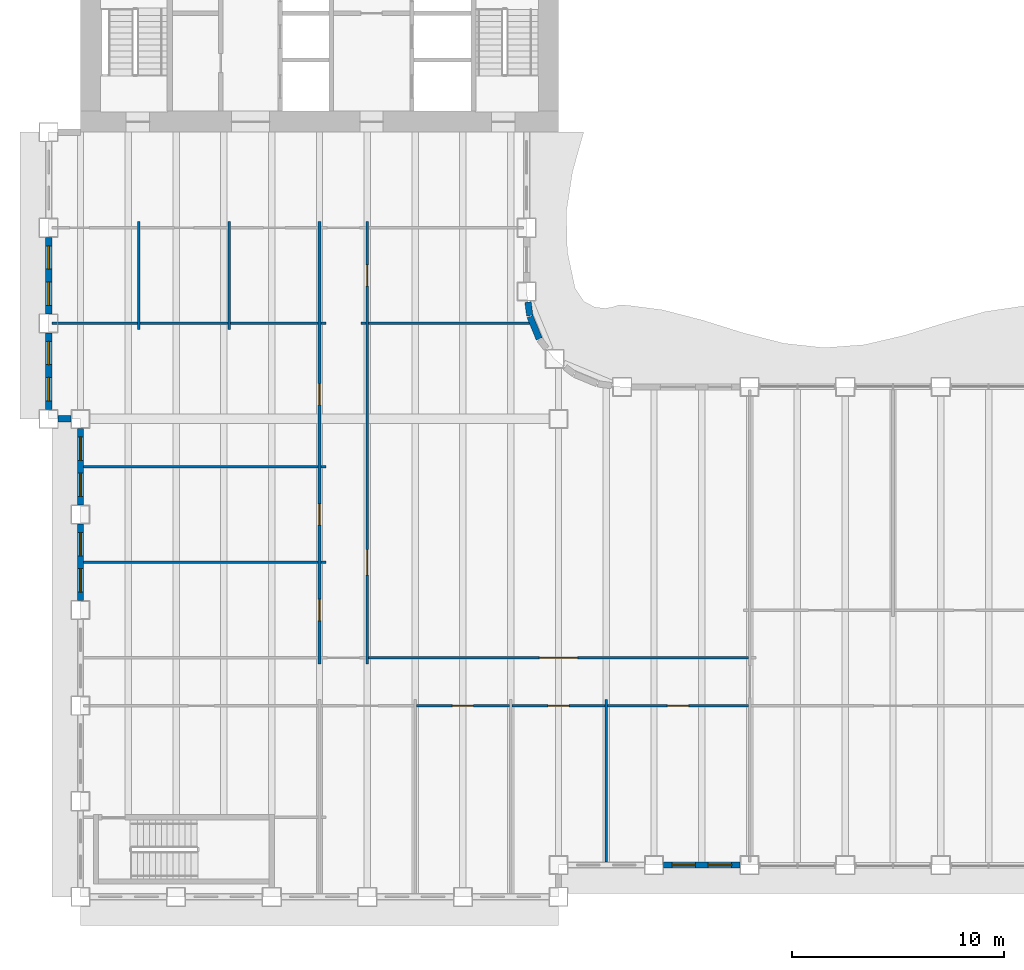
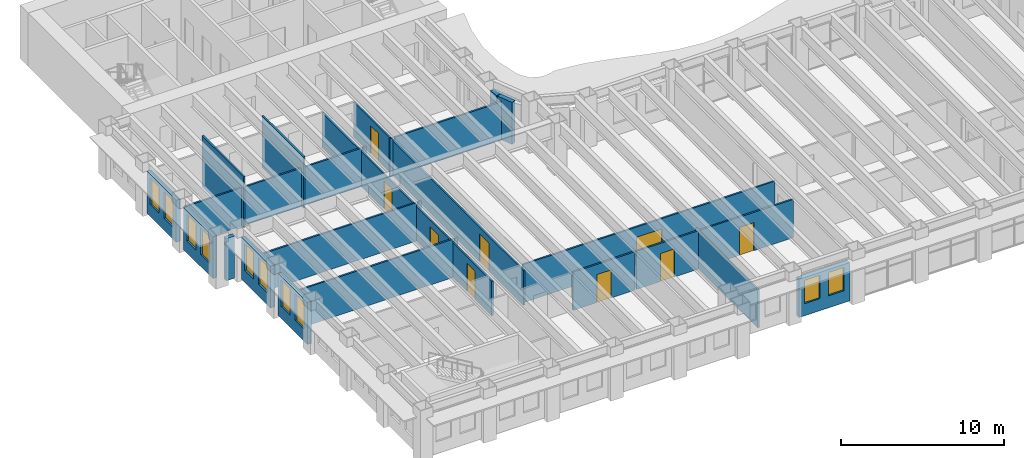
# One storey, part 6 of 17: 27 walls, 10 windows, 9 doors, 19 openings.
"""IFC4 building model written with IfcOpenShell, lengths in metres."""

import ifcopenshell
import ifcopenshell.guid

model = None  # the IFC model being written
_history = None  # IfcOwnerHistory: only IFC2X3 demands one
_inside = {}  # id of a spatial element -> (the spatial element, [elements in it])
_under = {}  # id of a project, library or spatial element -> (it, [spatial elements below it])
_declared = {}  # id of a project -> (the project, [libraries it declares])
_typed = {}  # id of a type object -> (the type object, [elements of that type])
_made_of = {}  # id of a material, layer set ... -> (it, [elements and type objects made of it])


def new_model(schema):
    """Start an empty IFC model of exactly this schema.

    Asked for "IFC4X3", IfcOpenShell would pick the latest addendum, in which some entities
    have other attributes; the version numbers below select the first issue.
    IFC2X3 requires an IfcOwnerHistory on every rooted entity: one is made here for all.
    """
    global model, _history
    if schema == "IFC4X3":
        model = ifcopenshell.file(schema_version=(4, 3, 0, 0))
    else:
        model = ifcopenshell.file(schema=schema)
    _inside.clear()
    _under.clear()
    _declared.clear()
    _typed.clear()
    _made_of.clear()
    _history = None
    if model.schema == "IFC2X3":
        org = make("IfcOrganization", Name="unknown")
        user = make(
            "IfcPersonAndOrganization",
            ThePerson=make("IfcPerson", FamilyName="unknown"),
            TheOrganization=org,
        )
        app = make(
            "IfcApplication",
            ApplicationDeveloper=org,
            Version="unknown",
            ApplicationFullName="unknown",
            ApplicationIdentifier="unknown",
        )
        _history = make(
            "IfcOwnerHistory",
            OwningUser=user,
            OwningApplication=app,
            ChangeAction="ADDED",
            CreationDate=0,
        )
    return model


def make(cls, **values):
    """One entity of the class cls with the attributes given. An attribute that is None is left unset."""
    return model.create_entity(
        cls, **{name: value for name, value in values.items() if value is not None}
    )


def rooted(cls, **values):
    """An entity with a GlobalId (a new one), such as an element, a storey or a relation."""
    return make(cls, GlobalId=ifcopenshell.guid.new(), OwnerHistory=_history, **values)


def si_unit(unit_type, name, prefix=None):
    """IfcSIUnit, for example si_unit("LENGTHUNIT", "METRE", prefix="MILLI")."""
    return make("IfcSIUnit", UnitType=unit_type, Prefix=prefix, Name=name)


def assignment(units):
    """IfcUnitAssignment: the units of a project."""
    return None if units is None else make("IfcUnitAssignment", Units=units)


def point(xyz):
    """IfcCartesianPoint."""
    return None if xyz is None else make("IfcCartesianPoint", Coordinates=xyz)


def direction(xyz):
    """IfcDirection."""
    return None if xyz is None else make("IfcDirection", DirectionRatios=xyz)


def frame(location, z_axis=None, x_axis=None):
    """IfcAxis2Placement3D, a coordinate frame: its origin and axes. An axis left out is left unset."""
    return make(
        "IfcAxis2Placement3D",
        Location=point(location),
        Axis=direction(z_axis),
        RefDirection=direction(x_axis),
    )


def frame_2d(location, x_axis=None):
    """IfcAxis2Placement2D, a coordinate frame in the plane: its origin and x axis."""
    return make(
        "IfcAxis2Placement2D", Location=point(location), RefDirection=direction(x_axis)
    )


def origin():
    """The frame at (0, 0, 0) with its axes left unset."""
    return frame((0.0, 0.0, 0.0))


def place(relative_to, where):
    """IfcLocalPlacement: puts the frame where relative to a parent placement (None: the world)."""
    return make(
        "IfcLocalPlacement", PlacementRelTo=relative_to, RelativePlacement=where
    )


def context(
    kind, dimensions, precision=None, world=None, true_north=None, identifier=None
):
    """IfcGeometricRepresentationContext, for example the 3D "Model" context."""
    return make(
        "IfcGeometricRepresentationContext",
        ContextIdentifier=identifier,
        ContextType=kind,
        CoordinateSpaceDimension=dimensions,
        Precision=precision,
        WorldCoordinateSystem=world,
        TrueNorth=true_north,
    )


def subcontext(parent, identifier, kind, view, scale=None):
    """IfcGeometricRepresentationSubContext, for example "Body" below "Model"."""
    return make(
        "IfcGeometricRepresentationSubContext",
        ContextIdentifier=identifier,
        ContextType=kind,
        ParentContext=parent,
        TargetScale=scale,
        TargetView=view,
    )


def project(units=None, contexts=None):
    """IfcProject with its units and contexts."""
    return rooted(
        "IfcProject",
        Name="project",
        RepresentationContexts=contexts,
        UnitsInContext=assignment(units),
    )


def spatial(cls, under=None, at=None, **own):
    """A site, building, storey or space (cls), placed at a placement, below another one or the project."""
    s = rooted(cls, ObjectPlacement=at, **own)
    if under is not None:
        _under.setdefault(under.id(), (under, []))[1].append(s)
    return s


def profile(cls, at=None, kind="AREA", **sizes):
    """A parametric profile (cls). Its sizes go by their IFC names, for example OverallWidth=200.0."""
    return make(cls, ProfileType=kind, Position=at, **sizes)


def rectangle(**sizes):
    """IfcRectangleProfileDef."""
    return profile("IfcRectangleProfileDef", **sizes)


def extrude(swept, where, along, depth):
    """IfcExtrudedAreaSolid: the profile swept, set in the frame where, extruded along a direction by depth."""
    return make(
        "IfcExtrudedAreaSolid",
        SweptArea=swept,
        Position=where,
        ExtrudedDirection=direction(along),
        Depth=depth,
    )


def shape(context_of_items, identifier, shape_type, items):
    """IfcShapeRepresentation: the items that make up one representation, for example the "Body"."""
    return make(
        "IfcShapeRepresentation",
        ContextOfItems=context_of_items,
        RepresentationIdentifier=identifier,
        RepresentationType=shape_type,
        Items=items,
    )


def material(Name=None, Category=None):
    """IfcMaterial."""
    return make("IfcMaterial", Name=Name, Category=Category)


def layer(
    of_material, thickness, ventilated=None, Name=None, Category=None, Priority=None
):
    """IfcMaterialLayer: one layer of a wall or slab, of a material (None: an air gap)."""
    return make(
        "IfcMaterialLayer",
        Material=of_material,
        LayerThickness=thickness,
        IsVentilated=ventilated,
        Name=Name,
        Category=Category,
        Priority=Priority,
    )


def layer_set(layers, Name=None):
    """IfcMaterialLayerSet."""
    return make("IfcMaterialLayerSet", MaterialLayers=layers, LayerSetName=Name)


def made_of(thing, what):
    """Note that an element or type object is made of a material, layer set ...; save() writes the relation."""
    if what is not None:
        _made_of.setdefault(what.id(), (what, []))[1].append(thing)
    return thing


def type_object(cls, material=None, **own):
    """A type object (cls), such as IfcWallType, which elements share."""
    return made_of(rooted(cls, **own), material)


def element(
    cls,
    number,
    at=None,
    inside=None,
    cuts=None,
    type_object=None,
    material=None,
    context=None,
    identifier="Body",
    shape_type=None,
    held_by="IfcProductDefinitionShape",
    body=None,
    shapes=None,
    **own,
):
    """One element of the class cls, such as IfcWall. Its Tag is "e" and its number.

    at: its placement. inside: the storey or other place that contains it. cuts: it is an
    opening in that element (IfcRelVoidsElement). A single representation is given by context,
    identifier, shape_type and body (its items); several are given by shapes. held_by: the class
    of the entity that holds the representations. save() writes the other relations.
    """
    e = rooted(cls, Tag="e%d" % number, ObjectPlacement=at, **own)
    if body is not None:
        shapes = [shape(context, identifier, shape_type, body)]
    if shapes is not None:
        e.Representation = make(held_by, Representations=shapes)
    if inside is not None:
        _inside.setdefault(inside.id(), (inside, []))[1].append(e)
    if cuts is not None:
        rooted(
            "IfcRelVoidsElement", RelatingBuildingElement=cuts, RelatedOpeningElement=e
        )
    if type_object is not None:
        _typed.setdefault(type_object.id(), (type_object, []))[1].append(e)
    return made_of(e, material)


def fill(opening, filler):
    """IfcRelFillsElement: the door or window that sits in an opening."""
    return rooted(
        "IfcRelFillsElement",
        RelatingOpeningElement=opening,
        RelatedBuildingElement=filler,
    )


def aggregate(whole, parts):
    """IfcRelAggregates: a whole, such as a stair, and the parts it consists of."""
    return rooted("IfcRelAggregates", RelatingObject=whole, RelatedObjects=parts)


def save(model, path):
    """Write the relations noted so far, then the file.

    IfcRelAggregates (storeys below a building ...), IfcRelContainedInSpatialStructure (elements
    in a storey), IfcRelDefinesByType, IfcRelAssociatesMaterial and IfcRelDeclares: one each for
    every whole, place, type object, material and project.
    """
    for whole, parts in _under.values():
        aggregate(whole, parts)
    for where, things in _inside.values():
        rooted(
            "IfcRelContainedInSpatialStructure",
            RelatedElements=things,
            RelatingStructure=where,
        )
    for kind, things in _typed.values():
        rooted("IfcRelDefinesByType", RelatedObjects=things, RelatingType=kind)
    for what, things in _made_of.values():
        rooted("IfcRelAssociatesMaterial", RelatedObjects=things, RelatingMaterial=what)
    for by, libraries in _declared.values():
        rooted("IfcRelDeclares", RelatingContext=by, RelatedDefinitions=libraries)
    model.write(path)


model = new_model("IFC4")

# Units and contexts
model_context = context("Model", 3, precision=1e-05, world=origin(), true_north=direction((0.0, 1.0)))
body_context = subcontext(model_context, "Body", "Model", "MODEL_VIEW")
ifc_project = project(units=[si_unit("LENGTHUNIT", "METRE"), si_unit("AREAUNIT", "SQUARE_METRE"), si_unit("VOLUMEUNIT", "CUBIC_METRE"), si_unit("PLANEANGLEUNIT", "RADIAN"), si_unit("MASSUNIT", "GRAM", prefix="KILO")], contexts=[model_context])

# Site, building, storey
site_placement = place(None, origin())
site = spatial("IfcSite", under=ifc_project, at=site_placement, CompositionType="ELEMENT")
building_placement = place(site_placement, origin())
building = spatial("IfcBuilding", under=site, at=building_placement, Name="Sennacour Bend Tower", CompositionType="ELEMENT")
storey_placement = place(building_placement, frame((0.0, 0.0, 151.0)))
storey = spatial("IfcBuildingStorey", under=building, at=storey_placement, Name="L34", CompositionType="ELEMENT", Elevation=151.0)

# Walls
ifc_material_1 = material(Name="Plasterboard partition on steel studs", Category="steel")
ifc_layer_1 = layer(ifc_material_1, 0.1201171875, Name="Plasterboard partition on steel studs", Category="steel")
ifc_layer_set_1 = layer_set([ifc_layer_1], Name="Plasterboard partition on steel studs")
wall_type_1 = type_object("IfcWallType", Name="Partition 120", PredefinedType="PARTITIONING", material=ifc_layer_set_1)
for number, where, z_axis, x_axis, name in (
    (1, (2.75, 26.699951171875, 0.0), (0.0, 0.0, 1.0), (0.0, 1.0, 0.0), "P-L34-W005a"),
    (2, (7.0, 26.699951171875, 0.0), (0.0, 0.0, 1.0), (0.0, 1.0, 0.0), "P-L34-W009a"),
):
    element("IfcWall", number, at=place(storey_placement, frame(where, z_axis=z_axis, x_axis=x_axis)), inside=storey, type_object=wall_type_1, Name=name, PredefinedType="PARTITIONING", context=body_context, shape_type="SweptSolid", body=[
        extrude(rectangle(XDim=5.10009765625, YDim=0.1201171875, at=frame_2d((2.550048828125, 0.0))), origin(), (0.0, 0.0, 1.0), 3.85009765625),
    ])

# Wall, openings, doors
wall_1_placement = place(storey_placement, frame((11.25, 10.949951171875, 0.0), z_axis=(0.0, 0.0, 1.0), x_axis=(0.0, 1.0, 0.0)))
wall_1 = element("IfcWall", 3, at=wall_1_placement, inside=storey, type_object=wall_type_1, Name="P-L34-W014a", PredefinedType="PARTITIONING", context=body_context, shape_type="SweptSolid", body=[
    extrude(rectangle(XDim=20.85009765625, YDim=0.1201171875, at=frame_2d((10.425048828125, 0.0))), origin(), (0.0, 0.0, 1.0), 2.60009765625),
])
opening_1_placement = place(wall_1_placement, frame((2.050048828125, 0.0, 0.0)))
opening_1 = element("IfcOpeningElement", 4, at=opening_1_placement, cuts=wall_1, Name="Opening OD2", PredefinedType="OPENING", context=body_context, shape_type="SweptSolid", body=[
    extrude(rectangle(XDim=1.0, YDim=2.10009765625, at=frame_2d((0.5, 1.050048828125))), frame((0.0, 0.070068359375, 0.0), z_axis=(0.0, -1.0, 0.0), x_axis=(1.0, 0.0, 0.0)), (0.0, 0.0, 1.0), 0.14013671875),
])
opening_2_placement = place(wall_1_placement, frame((6.550048828125, 0.0, 0.0)))
opening_2 = element("IfcOpeningElement", 5, at=opening_2_placement, cuts=wall_1, Name="Opening OD2", PredefinedType="OPENING", context=body_context, shape_type="SweptSolid", body=[
    extrude(rectangle(XDim=1.0, YDim=2.10009765625, at=frame_2d((0.5, 1.050048828125))), frame((0.0, 0.070068359375, 0.0), z_axis=(0.0, -1.0, 0.0), x_axis=(1.0, 0.0, 0.0)), (0.0, 0.0, 1.0), 0.14013671875),
])
opening_3_placement = place(wall_1_placement, frame((12.205078125, 0.0, 0.0)))
opening_3 = element("IfcOpeningElement", 6, at=opening_3_placement, cuts=wall_1, Name="Opening OD2", PredefinedType="OPENING", context=body_context, shape_type="SweptSolid", body=[
    extrude(rectangle(XDim=1.0, YDim=2.10009765625, at=frame_2d((0.5, 1.050048828125))), frame((0.0, 0.070068359375, 0.0), z_axis=(0.0, -1.0, 0.0), x_axis=(1.0, 0.0, 0.0)), (0.0, 0.0, 1.0), 0.14013671875),
])
ifc_material_2 = material(Name="Timber", Category="wood")
door_type_1 = type_object("IfcDoorType", Name="DR-OFFICE-1000", OperationType="NOTDEFINED", PredefinedType="DOOR", material=ifc_material_2)
door_1_placement = place(opening_1_placement, origin())
door_1 = element("IfcDoor", 7, at=door_1_placement, inside=storey, type_object=door_type_1, Name="Door", OperationType="SINGLE_SWING_LEFT", OverallHeight=2.10009765625, OverallWidth=1.0, PredefinedType="DOOR", context=body_context, shape_type="SweptSolid", body=[
    extrude(rectangle(XDim=1.0, YDim=2.10009765625, at=frame_2d((0.5, 1.050048828125))), frame((0.0, 0.02490234375, 0.0), z_axis=(0.0, -1.0, 0.0), x_axis=(1.0, 0.0, 0.0)), (0.0, 0.0, 1.0), 0.050048828125),
])
fill(opening_1, door_1)
door_2_placement = place(opening_2_placement, origin())
door_2 = element("IfcDoor", 8, at=door_2_placement, inside=storey, type_object=door_type_1, Name="Door", OperationType="SINGLE_SWING_LEFT", OverallHeight=2.10009765625, OverallWidth=1.0, PredefinedType="DOOR", context=body_context, shape_type="SweptSolid", body=[
    extrude(rectangle(XDim=1.0, YDim=2.10009765625, at=frame_2d((0.5, 1.050048828125))), frame((0.0, 0.02490234375, 0.0), z_axis=(0.0, -1.0, 0.0), x_axis=(1.0, 0.0, 0.0)), (0.0, 0.0, 1.0), 0.050048828125),
])
fill(opening_2, door_2)
door_3_placement = place(opening_3_placement, origin())
door_3 = element("IfcDoor", 9, at=door_3_placement, inside=storey, type_object=door_type_1, Name="Door", OperationType="SINGLE_SWING_RIGHT", OverallHeight=2.10009765625, OverallWidth=1.0, PredefinedType="DOOR", context=body_context, shape_type="SweptSolid", body=[
    extrude(rectangle(XDim=1.0, YDim=2.10009765625, at=frame_2d((0.5, 1.050048828125))), frame((0.0, 0.02490234375, 0.0), z_axis=(0.0, -1.0, 0.0), x_axis=(1.0, 0.0, 0.0)), (0.0, 0.0, 1.0), 0.050048828125),
])
fill(opening_3, door_3)

wall_2_placement = place(storey_placement, frame((13.5, 10.949951171875, 0.0), z_axis=(0.0, 0.0, 1.0), x_axis=(0.0, 1.0, 0.0)))
wall_2 = element("IfcWall", 10, at=wall_2_placement, inside=storey, type_object=wall_type_1, Name="P-L34-W017a", PredefinedType="PARTITIONING", context=body_context, shape_type="SweptSolid", body=[
    extrude(rectangle(XDim=20.85009765625, YDim=0.1201171875, at=frame_2d((10.425048828125, 0.0))), origin(), (0.0, 0.0, 1.0), 2.60009765625),
])
opening_4_placement = place(wall_2_placement, frame((17.800048828125, 0.0, 0.0)))
opening_4 = element("IfcOpeningElement", 11, at=opening_4_placement, cuts=wall_2, Name="Opening MD2", PredefinedType="OPENING", context=body_context, shape_type="SweptSolid", body=[
    extrude(rectangle(XDim=1.0, YDim=2.10009765625, at=frame_2d((0.5, 1.050048828125))), frame((0.0, 0.070068359375, 0.0), z_axis=(0.0, -1.0, 0.0), x_axis=(1.0, 0.0, 0.0)), (0.0, 0.0, 1.0), 0.14013671875),
])
opening_5_placement = place(wall_2_placement, frame((4.199951171875, 0.0, 0.0)))
opening_5 = element("IfcOpeningElement", 12, at=opening_5_placement, cuts=wall_2, Name="Opening OD", PredefinedType="OPENING", context=body_context, shape_type="SweptSolid", body=[
    extrude(rectangle(XDim=1.199951171875, YDim=2.10009765625, at=frame_2d((0.60009765625, 1.050048828125))), frame((0.0, 0.070068359375, 0.0), z_axis=(0.0, -1.0, 0.0), x_axis=(1.0, 0.0, 0.0)), (0.0, 0.0, 1.0), 0.14013671875),
])
door_type_2 = type_object("IfcDoorType", Name="DR-MEETING-1000", OperationType="NOTDEFINED", PredefinedType="DOOR", material=ifc_material_2)
door_4_placement = place(opening_4_placement, origin())
door_4 = element("IfcDoor", 13, at=door_4_placement, inside=storey, type_object=door_type_2, Name="Door", OperationType="SINGLE_SWING_RIGHT", OverallHeight=2.10009765625, OverallWidth=1.0, PredefinedType="DOOR", context=body_context, shape_type="SweptSolid", body=[
    extrude(rectangle(XDim=1.0, YDim=2.10009765625, at=frame_2d((0.5, 1.050048828125))), frame((0.0, 0.02490234375, 0.0), z_axis=(0.0, -1.0, 0.0), x_axis=(1.0, 0.0, 0.0)), (0.0, 0.0, 1.0), 0.050048828125),
])
fill(opening_4, door_4)
door_type_3 = type_object("IfcDoorType", Name="DR-OFFICE-1200", OperationType="NOTDEFINED", PredefinedType="DOOR", material=ifc_material_2)
door_5_placement = place(opening_5_placement, origin())
door_5 = element("IfcDoor", 14, at=door_5_placement, inside=storey, type_object=door_type_3, Name="Door", OperationType="SINGLE_SWING_LEFT", OverallHeight=2.10009765625, OverallWidth=1.199951171875, PredefinedType="DOOR", context=body_context, shape_type="SweptSolid", body=[
    extrude(rectangle(XDim=1.199951171875, YDim=2.10009765625, at=frame_2d((0.60009765625, 1.050048828125))), frame((0.0, 0.02490234375, 0.0), z_axis=(0.0, -1.0, 0.0), x_axis=(1.0, 0.0, 0.0)), (0.0, 0.0, 1.0), 0.050048828125),
])
fill(opening_5, door_5)

# Wall
wall_3_placement = place(storey_placement, frame((24.75, 1.64990234375, 0.0), z_axis=(0.0, 0.0, 1.0), x_axis=(0.0, 1.0, 0.0)))
element("IfcWall", 15, at=wall_3_placement, inside=storey, type_object=wall_type_1, Name="P-L34-W026a", PredefinedType="PARTITIONING", context=body_context, shape_type="SweptSolid", body=[
    extrude(rectangle(XDim=7.650146484375, YDim=0.1201171875, at=frame_2d((3.8251953125, 0.0))), origin(), (0.0, 0.0, 1.0), 2.8701171875),
])

# Wall, opening, door
wall_4_placement = place(storey_placement, frame((15.81005859375, 9.0, 0.0), z_axis=(0.0, 0.0, 1.0), x_axis=(1.0, 0.0, 0.0)))
wall_4 = element("IfcWall", 16, at=wall_4_placement, inside=storey, type_object=wall_type_1, Name="P-L34-W057ac", PredefinedType="PARTITIONING", context=body_context, shape_type="SweptSolid", body=[
    extrude(rectangle(XDim=4.3798828125, YDim=0.1201171875, at=frame_2d((2.18994140625, 0.0))), origin(), (0.0, 0.0, 1.0), 2.8701171875),
])
opening_6_placement = place(wall_4_placement, frame((1.68994140625, 0.0, 0.0)))
opening_6 = element("IfcOpeningElement", 17, at=opening_6_placement, cuts=wall_4, Name="Opening OD2", PredefinedType="OPENING", context=body_context, shape_type="SweptSolid", body=[
    extrude(rectangle(XDim=1.0, YDim=2.10009765625, at=frame_2d((0.5, 1.050048828125))), frame((0.0, 0.070068359375, 0.0), z_axis=(0.0, -1.0, 0.0), x_axis=(1.0, 0.0, 0.0)), (0.0, 0.0, 1.0), 0.14013671875),
])
door_6_placement = place(opening_6_placement, origin())
door_6 = element("IfcDoor", 18, at=door_6_placement, inside=storey, type_object=door_type_1, Name="Door", OperationType="SINGLE_SWING_LEFT", OverallHeight=2.10009765625, OverallWidth=1.0, PredefinedType="DOOR", context=body_context, shape_type="SweptSolid", body=[
    extrude(rectangle(XDim=1.0, YDim=2.10009765625, at=frame_2d((0.5, 1.050048828125))), frame((0.0, 0.02490234375, 0.0), z_axis=(0.0, -1.0, 0.0), x_axis=(1.0, 0.0, 0.0)), (0.0, 0.0, 1.0), 0.050048828125),
])
fill(opening_6, door_6)

wall_5_placement = place(storey_placement, frame((20.31005859375, 9.0, 0.0), z_axis=(0.0, 0.0, 1.0), x_axis=(1.0, 0.0, 0.0)))
wall_5 = element("IfcWall", 19, at=wall_5_placement, inside=storey, type_object=wall_type_1, Name="P-L34-W057ad", PredefinedType="PARTITIONING", context=body_context, shape_type="SweptSolid", body=[
    extrude(rectangle(XDim=4.3798828125, YDim=0.1201171875, at=frame_2d((2.18994140625, 0.0))), origin(), (0.0, 0.0, 1.0), 2.8701171875),
])
opening_7_placement = place(wall_5_placement, frame((1.68994140625, 0.0, 0.0)))
opening_7 = element("IfcOpeningElement", 20, at=opening_7_placement, cuts=wall_5, Name="Opening MD2", PredefinedType="OPENING", context=body_context, shape_type="SweptSolid", body=[
    extrude(rectangle(XDim=1.0, YDim=2.10009765625, at=frame_2d((0.5, 1.050048828125))), frame((0.0, 0.070068359375, 0.0), z_axis=(0.0, -1.0, 0.0), x_axis=(1.0, 0.0, 0.0)), (0.0, 0.0, 1.0), 0.14013671875),
])
door_7_placement = place(opening_7_placement, origin())
door_7 = element("IfcDoor", 21, at=door_7_placement, inside=storey, type_object=door_type_2, Name="Door", OperationType="SINGLE_SWING_LEFT", OverallHeight=2.10009765625, OverallWidth=1.0, PredefinedType="DOOR", context=body_context, shape_type="SweptSolid", body=[
    extrude(rectangle(XDim=1.0, YDim=2.10009765625, at=frame_2d((0.5, 1.050048828125))), frame((0.0, 0.02490234375, 0.0), z_axis=(0.0, -1.0, 0.0), x_axis=(1.0, 0.0, 0.0)), (0.0, 0.0, 1.0), 0.050048828125),
])
fill(opening_7, door_7)

wall_6_placement = place(storey_placement, frame((24.81005859375, 9.0, 0.0), z_axis=(0.0, 0.0, 1.0), x_axis=(1.0, 0.0, 0.0)))
wall_6 = element("IfcWall", 22, at=wall_6_placement, inside=storey, type_object=wall_type_1, Name="P-L34-W057ae", PredefinedType="PARTITIONING", context=body_context, shape_type="SweptSolid", body=[
    extrude(rectangle(XDim=6.6298828125, YDim=0.1201171875, at=frame_2d((3.31494140625, 0.0))), origin(), (0.0, 0.0, 1.0), 2.8701171875),
])
opening_8_placement = place(wall_6_placement, frame((2.81494140625, 0.0, 0.0)))
opening_8 = element("IfcOpeningElement", 23, at=opening_8_placement, cuts=wall_6, Name="Opening OD2", PredefinedType="OPENING", context=body_context, shape_type="SweptSolid", body=[
    extrude(rectangle(XDim=1.0, YDim=2.10009765625, at=frame_2d((0.5, 1.050048828125))), frame((0.0, 0.070068359375, 0.0), z_axis=(0.0, -1.0, 0.0), x_axis=(1.0, 0.0, 0.0)), (0.0, 0.0, 1.0), 0.14013671875),
])
door_8_placement = place(opening_8_placement, origin())
door_8 = element("IfcDoor", 24, at=door_8_placement, inside=storey, type_object=door_type_1, Name="Door", OperationType="SINGLE_SWING_LEFT", OverallHeight=2.10009765625, OverallWidth=1.0, PredefinedType="DOOR", context=body_context, shape_type="SweptSolid", body=[
    extrude(rectangle(XDim=1.0, YDim=2.10009765625, at=frame_2d((0.5, 1.050048828125))), frame((0.0, 0.02490234375, 0.0), z_axis=(0.0, -1.0, 0.0), x_axis=(1.0, 0.0, 0.0)), (0.0, 0.0, 1.0), 0.050048828125),
])
fill(opening_8, door_8)

wall_7_placement = place(storey_placement, frame((13.56005859375, 11.25, 0.0), z_axis=(0.0, 0.0, 1.0), x_axis=(1.0, 0.0, 0.0)))
wall_7 = element("IfcWall", 25, at=wall_7_placement, inside=storey, type_object=wall_type_1, Name="P-L34-W060ac", PredefinedType="PARTITIONING", context=body_context, shape_type="SweptSolid", body=[
    extrude(rectangle(XDim=17.8798828125, YDim=0.1201171875, at=frame_2d((8.93994140625, 0.0))), origin(), (0.0, 0.0, 1.0), 2.8701171875),
])
opening_9_placement = place(wall_7_placement, frame((8.039794921875, 0.0, 0.0)))
opening_9 = element("IfcOpeningElement", 26, at=opening_9_placement, cuts=wall_7, Name="Opening OD3", PredefinedType="OPENING", context=body_context, shape_type="SweptSolid", body=[
    extrude(rectangle(XDim=1.800048828125, YDim=2.10009765625, at=frame_2d((0.89990234375, 1.050048828125))), frame((0.0, 0.070068359375, 0.0), z_axis=(0.0, -1.0, 0.0), x_axis=(1.0, 0.0, 0.0)), (0.0, 0.0, 1.0), 0.14013671875),
])
door_type_4 = type_object("IfcDoorType", Name="DR-OFFICE-1800", OperationType="NOTDEFINED", PredefinedType="DOOR", material=ifc_material_2)
door_9_placement = place(opening_9_placement, origin())
door_9 = element("IfcDoor", 27, at=door_9_placement, inside=storey, type_object=door_type_4, Name="Door", OperationType="DOUBLE_DOOR_SINGLE_SWING", OverallHeight=2.10009765625, OverallWidth=1.800048828125, PredefinedType="DOOR", context=body_context, shape_type="SweptSolid", body=[
    extrude(rectangle(XDim=1.800048828125, YDim=2.10009765625, at=frame_2d((0.89990234375, 1.050048828125))), frame((0.0, 0.02490234375, 0.0), z_axis=(0.0, -1.0, 0.0), x_axis=(1.0, 0.0, 0.0)), (0.0, 0.0, 1.0), 0.050048828125),
])
fill(opening_9, door_9)

# Walls
wall_8_placement = place(storey_placement, frame((0.14990234375, 15.75, 0.0), z_axis=(0.0, 0.0, 1.0), x_axis=(1.0, 0.0, 0.0)))
element("IfcWall", 28, at=wall_8_placement, inside=storey, type_object=wall_type_1, Name="P-L34-W067aa", PredefinedType="PARTITIONING", context=body_context, shape_type="SweptSolid", body=[
    extrude(rectangle(XDim=11.0400390625, YDim=0.1201171875, at=frame_2d((5.52001953125, 0.0))), origin(), (0.0, 0.0, 1.0), 2.8701171875),
])
wall_9_placement = place(storey_placement, frame((11.31005859375, 15.75, 0.0), z_axis=(0.0, 0.0, 1.0), x_axis=(1.0, 0.0, 0.0)))
element("IfcWall", 29, at=wall_9_placement, inside=storey, type_object=wall_type_1, Name="P-L34-W067ab", PredefinedType="PARTITIONING", context=body_context, shape_type="SweptSolid", body=[
    extrude(rectangle(XDim=0.239990234375, YDim=0.1201171875, at=frame_2d((0.1201171875, 0.0))), origin(), (0.0, 0.0, 1.0), 2.8701171875),
])
wall_10_placement = place(storey_placement, frame((0.14990234375, 20.25, 0.0), z_axis=(0.0, 0.0, 1.0), x_axis=(1.0, 0.0, 0.0)))
element("IfcWall", 30, at=wall_10_placement, inside=storey, type_object=wall_type_1, Name="P-L34-W071aa", PredefinedType="PARTITIONING", context=body_context, shape_type="SweptSolid", body=[
    extrude(rectangle(XDim=11.0400390625, YDim=0.1201171875, at=frame_2d((5.52001953125, 0.0))), origin(), (0.0, 0.0, 1.0), 2.8701171875),
])
wall_11_placement = place(storey_placement, frame((11.31005859375, 20.25, 0.0), z_axis=(0.0, 0.0, 1.0), x_axis=(1.0, 0.0, 0.0)))
element("IfcWall", 31, at=wall_11_placement, inside=storey, type_object=wall_type_1, Name="P-L34-W071ab", PredefinedType="PARTITIONING", context=body_context, shape_type="SweptSolid", body=[
    extrude(rectangle(XDim=0.239990234375, YDim=0.1201171875, at=frame_2d((0.1201171875, 0.0))), origin(), (0.0, 0.0, 1.0), 2.8701171875),
])
wall_12_placement = place(storey_placement, frame((-1.35009765625, 27.0, 0.0), z_axis=(0.0, 0.0, 1.0), x_axis=(1.0, 0.0, 0.0)))
element("IfcWall", 32, at=wall_12_placement, inside=storey, type_object=wall_type_1, Name="P-L34-W073aa", PredefinedType="PARTITIONING", context=body_context, shape_type="SweptSolid", body=[
    extrude(rectangle(XDim=4.0400390625, YDim=0.1201171875, at=frame_2d((2.02001953125, 0.0))), origin(), (0.0, 0.0, 1.0), 2.8701171875),
])
for number, where, z_axis, x_axis, name in (
    (33, (2.81005859375, 27.0, 0.0), (0.0, 0.0, 1.0), (1.0, 0.0, 0.0), "P-L34-W073ab"),
    (34, (7.06005859375, 27.0, 0.0), (0.0, 0.0, 1.0), (1.0, 0.0, 0.0), "P-L34-W073ac"),
):
    element("IfcWall", number, at=place(storey_placement, frame(where, z_axis=z_axis, x_axis=x_axis)), inside=storey, type_object=wall_type_1, Name=name, PredefinedType="PARTITIONING", context=body_context, shape_type="SweptSolid", body=[
        extrude(rectangle(XDim=4.1298828125, YDim=0.1201171875, at=frame_2d((2.06494140625, 0.0))), origin(), (0.0, 0.0, 1.0), 2.8701171875),
    ])
for number, where, z_axis, x_axis, name in (
    (35, (11.31005859375, 27.0, 0.0), (0.0, 0.0, 1.0), (1.0, 0.0, 0.0), "P-L34-W073ad"),
    (36, (13.199951171875, 27.0, 0.0), (0.0, 0.0, 1.0), (1.0, 0.0, 0.0), "P-L34-W074aa"),
):
    element("IfcWall", number, at=place(storey_placement, frame(where, z_axis=z_axis, x_axis=x_axis)), inside=storey, type_object=wall_type_1, Name=name, PredefinedType="PARTITIONING", context=body_context, shape_type="SweptSolid", body=[
        extrude(rectangle(XDim=0.239990234375, YDim=0.1201171875, at=frame_2d((0.1201171875, 0.0))), origin(), (0.0, 0.0, 1.0), 2.8701171875),
    ])
wall_13_placement = place(storey_placement, frame((13.56005859375, 27.0, 0.0), z_axis=(0.0, 0.0, 1.0), x_axis=(1.0, 0.0, 0.0)))
element("IfcWall", 37, at=wall_13_placement, inside=storey, type_object=wall_type_1, Name="P-L34-W074ab", PredefinedType="PARTITIONING", context=body_context, shape_type="SweptSolid", body=[
    extrude(rectangle(XDim=7.56982421875, YDim=0.1201171875, at=frame_2d((3.784912109375, 0.0))), origin(), (0.0, 0.0, 1.0), 2.8701171875),
])

# Wall, openings, windows
ifc_material_3 = material(Name="Warm limestone cladding", Category="masonry")
ifc_layer_2 = layer(ifc_material_3, 0.050048828125, Name="Warm limestone cladding", Category="masonry")
ifc_material_4 = material(Name="Precast concrete C40/50", Category="concrete")
ifc_layer_3 = layer(ifc_material_4, 0.25, Name="Precast concrete C40/50", Category="concrete")
ifc_layer_set_2 = layer_set([ifc_layer_2, ifc_layer_3], Name="Precast concrete C40/50 with limestone cladding")
wall_type_2 = type_object("IfcWallType", Name="STONE-CLAD PRECAST SPANDREL 300", PredefinedType="STANDARD", material=ifc_layer_set_2)
wall_14_placement = place(storey_placement, frame((27.449951171875, 1.5, 0.0), z_axis=(0.0, 0.0, 1.0), x_axis=(1.0, 0.0, 0.0)))
wall_14 = element("IfcWall", 38, at=wall_14_placement, inside=storey, type_object=wall_type_2, Name="Stone spandrel and pier wall L34 02.01", PredefinedType="STANDARD", context=body_context, shape_type="SweptSolid", body=[
    extrude(rectangle(XDim=3.60009765625, YDim=0.300048828125, at=frame_2d((1.800048828125, 0.0))), origin(), (0.0, 0.0, 1.0), 2.8701171875),
])
opening_10_placement = place(wall_14_placement, frame((0.39990234375, 0.0, 0.89990234375)))
opening_10 = element("IfcOpeningElement", 39, at=opening_10_placement, cuts=wall_14, Name="Opening W17", PredefinedType="OPENING", context=body_context, shape_type="SweptSolid", body=[
    extrude(rectangle(XDim=1.10009765625, YDim=1.75, at=frame_2d((0.550048828125, 0.875))), frame((0.0, 0.16015625, 0.0), z_axis=(0.0, -1.0, 0.0), x_axis=(1.0, 0.0, 0.0)), (0.0, 0.0, 1.0), 0.320068359375),
])
opening_11_placement = place(wall_14_placement, frame((2.10009765625, 0.0, 0.89990234375)))
opening_11 = element("IfcOpeningElement", 40, at=opening_11_placement, cuts=wall_14, Name="Opening W17", PredefinedType="OPENING", context=body_context, shape_type="SweptSolid", body=[
    extrude(rectangle(XDim=1.10009765625, YDim=1.75, at=frame_2d((0.550048828125, 0.875))), frame((0.0, 0.16015625, 0.0), z_axis=(0.0, -1.0, 0.0), x_axis=(1.0, 0.0, 0.0)), (0.0, 0.0, 1.0), 0.320068359375),
])
ifc_material_5 = material(Name="Clear low-emissivity glass", Category="glass")
window_type_1 = type_object("IfcWindowType", Name="WIN-RIBBON-1100x1750", PartitioningType="SINGLE_PANEL", PredefinedType="WINDOW", material=ifc_material_5)
window_1_placement = place(opening_10_placement, origin())
window_1 = element("IfcWindow", 41, at=window_1_placement, inside=storey, type_object=window_type_1, Name="Ribbon window L34 02.01.0", OverallHeight=1.75, OverallWidth=1.10009765625, PartitioningType="SINGLE_PANEL", PredefinedType="WINDOW", context=body_context, shape_type="SweptSolid", body=[
    extrude(rectangle(XDim=1.10009765625, YDim=1.75, at=frame_2d((0.550048828125, 0.875))), frame((0.0, 0.030029296875, 0.0), z_axis=(0.0, -1.0, 0.0), x_axis=(1.0, 0.0, 0.0)), (0.0, 0.0, 1.0), 0.06005859375),
])
fill(opening_10, window_1)
window_2_placement = place(opening_11_placement, origin())
window_2 = element("IfcWindow", 42, at=window_2_placement, inside=storey, type_object=window_type_1, Name="Ribbon window L34 02.01.1", OverallHeight=1.75, OverallWidth=1.10009765625, PartitioningType="SINGLE_PANEL", PredefinedType="WINDOW", context=body_context, shape_type="SweptSolid", body=[
    extrude(rectangle(XDim=1.10009765625, YDim=1.75, at=frame_2d((0.550048828125, 0.875))), frame((0.0, 0.030029296875, 0.0), z_axis=(0.0, -1.0, 0.0), x_axis=(1.0, 0.0, 0.0)), (0.0, 0.0, 1.0), 0.06005859375),
])
fill(opening_11, window_2)

# Walls
wall_15_placement = place(storey_placement, frame((21.59521484375, 26.268310546875, 0.0), z_axis=(0.0, 0.0, 1.0), x_axis=(-0.382598720491, 0.923914616768, 0.0)))
element("IfcWall", 43, at=wall_15_placement, inside=storey, type_object=wall_type_2, Name="Stone spandrel and pier wall L34 13.00", PredefinedType="STANDARD", context=body_context, shape_type="SweptSolid", body=[
    extrude(rectangle(XDim=1.13525390625, YDim=0.300048828125, at=frame_2d((0.567626953125, 0.0))), origin(), (0.0, 0.0, 1.0), 3.14892578125),
])
wall_16_placement = place(storey_placement, frame((21.15087890625, 27.35498046875, 0.0), z_axis=(0.0, 0.0, 1.0), x_axis=(-0.130687655177, 0.991423590996, 0.0)))
element("IfcWall", 44, at=wall_16_placement, inside=storey, type_object=wall_type_2, Name="Stone spandrel and pier wall L34 14.00", PredefinedType="STANDARD", context=body_context, shape_type="SweptSolid", body=[
    extrude(rectangle(XDim=0.650146484375, YDim=0.300048828125, at=frame_2d((0.3251953125, 0.0))), origin(), (0.0, 0.0, 1.0), 3.14892578125),
])

# Wall, openings, windows
wall_17_placement = place(storey_placement, frame((-1.5, 31.050048828125, 0.0), z_axis=(0.0, 0.0, 1.0), x_axis=(0.0, -1.0, 0.0)))
wall_17 = element("IfcWall", 45, at=wall_17_placement, inside=storey, type_object=wall_type_2, Name="Stone spandrel and pier wall L34 21.01", PredefinedType="STANDARD", context=body_context, shape_type="SweptSolid", body=[
    extrude(rectangle(XDim=3.60009765625, YDim=0.300048828125, at=frame_2d((1.800048828125, 0.0))), origin(), (0.0, 0.0, 1.0), 3.14892578125),
])
opening_12_placement = place(wall_17_placement, frame((0.39990234375, 0.0, 0.89990234375)))
opening_12 = element("IfcOpeningElement", 46, at=opening_12_placement, cuts=wall_17, Name="Opening W19", PredefinedType="OPENING", context=body_context, shape_type="SweptSolid", body=[
    extrude(rectangle(XDim=1.10009765625, YDim=2.0, at=frame_2d((0.550048828125, 1.0))), frame((0.0, 0.16015625, 0.0), z_axis=(0.0, -1.0, 0.0), x_axis=(1.0, 0.0, 0.0)), (0.0, 0.0, 1.0), 0.320068359375),
])
opening_13_placement = place(wall_17_placement, frame((2.10009765625, 0.0, 0.89990234375)))
opening_13 = element("IfcOpeningElement", 47, at=opening_13_placement, cuts=wall_17, Name="Opening W19", PredefinedType="OPENING", context=body_context, shape_type="SweptSolid", body=[
    extrude(rectangle(XDim=1.10009765625, YDim=2.0, at=frame_2d((0.550048828125, 1.0))), frame((0.0, 0.16015625, 0.0), z_axis=(0.0, -1.0, 0.0), x_axis=(1.0, 0.0, 0.0)), (0.0, 0.0, 1.0), 0.320068359375),
])
window_type_2 = type_object("IfcWindowType", Name="WIN-RIBBON-1100x2000", PartitioningType="SINGLE_PANEL", PredefinedType="WINDOW", material=ifc_material_5)
window_3_placement = place(opening_12_placement, origin())
window_3 = element("IfcWindow", 48, at=window_3_placement, inside=storey, type_object=window_type_2, Name="Ribbon window L34 21.01.0", OverallHeight=2.0, OverallWidth=1.10009765625, PartitioningType="SINGLE_PANEL", PredefinedType="WINDOW", context=body_context, shape_type="SweptSolid", body=[
    extrude(rectangle(XDim=1.10009765625, YDim=2.0, at=frame_2d((0.550048828125, 1.0))), frame((0.0, 0.030029296875, 0.0), z_axis=(0.0, -1.0, 0.0), x_axis=(1.0, 0.0, 0.0)), (0.0, 0.0, 1.0), 0.06005859375),
])
fill(opening_12, window_3)
window_4_placement = place(opening_13_placement, origin())
window_4 = element("IfcWindow", 49, at=window_4_placement, inside=storey, type_object=window_type_2, Name="Ribbon window L34 21.01.1", OverallHeight=2.0, OverallWidth=1.10009765625, PartitioningType="SINGLE_PANEL", PredefinedType="WINDOW", context=body_context, shape_type="SweptSolid", body=[
    extrude(rectangle(XDim=1.10009765625, YDim=2.0, at=frame_2d((0.550048828125, 1.0))), frame((0.0, 0.030029296875, 0.0), z_axis=(0.0, -1.0, 0.0), x_axis=(1.0, 0.0, 0.0)), (0.0, 0.0, 1.0), 0.06005859375),
])
fill(opening_13, window_4)

wall_18_placement = place(storey_placement, frame((-1.5, 26.550048828125, 0.0), z_axis=(0.0, 0.0, 1.0), x_axis=(0.0, -1.0, 0.0)))
wall_18 = element("IfcWall", 50, at=wall_18_placement, inside=storey, type_object=wall_type_2, Name="Stone spandrel and pier wall L34 21.02", PredefinedType="STANDARD", context=body_context, shape_type="SweptSolid", body=[
    extrude(rectangle(XDim=3.60009765625, YDim=0.300048828125, at=frame_2d((1.800048828125, 0.0))), origin(), (0.0, 0.0, 1.0), 3.14892578125),
])
opening_14_placement = place(wall_18_placement, frame((0.39990234375, 0.0, 0.89990234375)))
opening_14 = element("IfcOpeningElement", 51, at=opening_14_placement, cuts=wall_18, Name="Opening W19", PredefinedType="OPENING", context=body_context, shape_type="SweptSolid", body=[
    extrude(rectangle(XDim=1.10009765625, YDim=2.0, at=frame_2d((0.550048828125, 1.0))), frame((0.0, 0.16015625, 0.0), z_axis=(0.0, -1.0, 0.0), x_axis=(1.0, 0.0, 0.0)), (0.0, 0.0, 1.0), 0.320068359375),
])
opening_15_placement = place(wall_18_placement, frame((2.10009765625, 0.0, 0.89990234375)))
opening_15 = element("IfcOpeningElement", 52, at=opening_15_placement, cuts=wall_18, Name="Opening W19", PredefinedType="OPENING", context=body_context, shape_type="SweptSolid", body=[
    extrude(rectangle(XDim=1.10009765625, YDim=2.0, at=frame_2d((0.550048828125, 1.0))), frame((0.0, 0.16015625, 0.0), z_axis=(0.0, -1.0, 0.0), x_axis=(1.0, 0.0, 0.0)), (0.0, 0.0, 1.0), 0.320068359375),
])
window_5_placement = place(opening_14_placement, origin())
window_5 = element("IfcWindow", 53, at=window_5_placement, inside=storey, type_object=window_type_2, Name="Ribbon window L34 21.02.0", OverallHeight=2.0, OverallWidth=1.10009765625, PartitioningType="SINGLE_PANEL", PredefinedType="WINDOW", context=body_context, shape_type="SweptSolid", body=[
    extrude(rectangle(XDim=1.10009765625, YDim=2.0, at=frame_2d((0.550048828125, 1.0))), frame((0.0, 0.030029296875, 0.0), z_axis=(0.0, -1.0, 0.0), x_axis=(1.0, 0.0, 0.0)), (0.0, 0.0, 1.0), 0.06005859375),
])
fill(opening_14, window_5)
window_6_placement = place(opening_15_placement, origin())
window_6 = element("IfcWindow", 54, at=window_6_placement, inside=storey, type_object=window_type_2, Name="Ribbon window L34 21.02.1", OverallHeight=2.0, OverallWidth=1.10009765625, PartitioningType="SINGLE_PANEL", PredefinedType="WINDOW", context=body_context, shape_type="SweptSolid", body=[
    extrude(rectangle(XDim=1.10009765625, YDim=2.0, at=frame_2d((0.550048828125, 1.0))), frame((0.0, 0.030029296875, 0.0), z_axis=(0.0, -1.0, 0.0), x_axis=(1.0, 0.0, 0.0)), (0.0, 0.0, 1.0), 0.06005859375),
])
fill(opening_15, window_6)

# Wall
wall_19_placement = place(storey_placement, frame((-1.050048828125, 22.5, 0.0), z_axis=(0.0, 0.0, 1.0), x_axis=(1.0, 0.0, 0.0)))
element("IfcWall", 55, at=wall_19_placement, inside=storey, type_object=wall_type_2, Name="Stone spandrel and pier wall L34 22.00", PredefinedType="STANDARD", context=body_context, shape_type="SweptSolid", body=[
    extrude(rectangle(XDim=0.60009765625, YDim=0.300048828125, at=frame_2d((0.300048828125, 0.0))), origin(), (0.0, 0.0, 1.0), 3.14892578125),
])

# Wall, openings, windows
wall_20_placement = place(storey_placement, frame((0.0, 22.050048828125, 0.0), z_axis=(0.0, 0.0, 1.0), x_axis=(0.0, -1.0, 0.0)))
wall_20 = element("IfcWall", 56, at=wall_20_placement, inside=storey, type_object=wall_type_2, Name="Stone spandrel and pier wall L34 23.00", PredefinedType="STANDARD", context=body_context, shape_type="SweptSolid", body=[
    extrude(rectangle(XDim=3.60009765625, YDim=0.300048828125, at=frame_2d((1.800048828125, 0.0))), origin(), (0.0, 0.0, 1.0), 3.14892578125),
])
opening_16_placement = place(wall_20_placement, frame((0.39990234375, 0.0, 0.89990234375)))
opening_16 = element("IfcOpeningElement", 57, at=opening_16_placement, cuts=wall_20, Name="Opening W19", PredefinedType="OPENING", context=body_context, shape_type="SweptSolid", body=[
    extrude(rectangle(XDim=1.10009765625, YDim=2.0, at=frame_2d((0.550048828125, 1.0))), frame((0.0, 0.16015625, 0.0), z_axis=(0.0, -1.0, 0.0), x_axis=(1.0, 0.0, 0.0)), (0.0, 0.0, 1.0), 0.320068359375),
])
opening_17_placement = place(wall_20_placement, frame((2.10009765625, 0.0, 0.89990234375)))
opening_17 = element("IfcOpeningElement", 58, at=opening_17_placement, cuts=wall_20, Name="Opening W19", PredefinedType="OPENING", context=body_context, shape_type="SweptSolid", body=[
    extrude(rectangle(XDim=1.10009765625, YDim=2.0, at=frame_2d((0.550048828125, 1.0))), frame((0.0, 0.16015625, 0.0), z_axis=(0.0, -1.0, 0.0), x_axis=(1.0, 0.0, 0.0)), (0.0, 0.0, 1.0), 0.320068359375),
])
window_7_placement = place(opening_16_placement, origin())
window_7 = element("IfcWindow", 59, at=window_7_placement, inside=storey, type_object=window_type_2, Name="Ribbon window L34 23.00.0", OverallHeight=2.0, OverallWidth=1.10009765625, PartitioningType="SINGLE_PANEL", PredefinedType="WINDOW", context=body_context, shape_type="SweptSolid", body=[
    extrude(rectangle(XDim=1.10009765625, YDim=2.0, at=frame_2d((0.550048828125, 1.0))), frame((0.0, 0.030029296875, 0.0), z_axis=(0.0, -1.0, 0.0), x_axis=(1.0, 0.0, 0.0)), (0.0, 0.0, 1.0), 0.06005859375),
])
fill(opening_16, window_7)
window_8_placement = place(opening_17_placement, origin())
window_8 = element("IfcWindow", 60, at=window_8_placement, inside=storey, type_object=window_type_2, Name="Ribbon window L34 23.00.1", OverallHeight=2.0, OverallWidth=1.10009765625, PartitioningType="SINGLE_PANEL", PredefinedType="WINDOW", context=body_context, shape_type="SweptSolid", body=[
    extrude(rectangle(XDim=1.10009765625, YDim=2.0, at=frame_2d((0.550048828125, 1.0))), frame((0.0, 0.030029296875, 0.0), z_axis=(0.0, -1.0, 0.0), x_axis=(1.0, 0.0, 0.0)), (0.0, 0.0, 1.0), 0.06005859375),
])
fill(opening_17, window_8)

wall_21_placement = place(storey_placement, frame((0.0, 17.550048828125, 0.0), z_axis=(0.0, 0.0, 1.0), x_axis=(0.0, -1.0, 0.0)))
wall_21 = element("IfcWall", 61, at=wall_21_placement, inside=storey, type_object=wall_type_2, Name="Stone spandrel and pier wall L34 23.01", PredefinedType="STANDARD", context=body_context, shape_type="SweptSolid", body=[
    extrude(rectangle(XDim=3.60009765625, YDim=0.300048828125, at=frame_2d((1.800048828125, 0.0))), origin(), (0.0, 0.0, 1.0), 3.14892578125),
])
opening_18_placement = place(wall_21_placement, frame((0.39990234375, 0.0, 0.89990234375)))
opening_18 = element("IfcOpeningElement", 62, at=opening_18_placement, cuts=wall_21, Name="Opening W19", PredefinedType="OPENING", context=body_context, shape_type="SweptSolid", body=[
    extrude(rectangle(XDim=1.10009765625, YDim=2.0, at=frame_2d((0.550048828125, 1.0))), frame((0.0, 0.16015625, 0.0), z_axis=(0.0, -1.0, 0.0), x_axis=(1.0, 0.0, 0.0)), (0.0, 0.0, 1.0), 0.320068359375),
])
opening_19_placement = place(wall_21_placement, frame((2.10009765625, 0.0, 0.89990234375)))
opening_19 = element("IfcOpeningElement", 63, at=opening_19_placement, cuts=wall_21, Name="Opening W19", PredefinedType="OPENING", context=body_context, shape_type="SweptSolid", body=[
    extrude(rectangle(XDim=1.10009765625, YDim=2.0, at=frame_2d((0.550048828125, 1.0))), frame((0.0, 0.16015625, 0.0), z_axis=(0.0, -1.0, 0.0), x_axis=(1.0, 0.0, 0.0)), (0.0, 0.0, 1.0), 0.320068359375),
])
window_9_placement = place(opening_18_placement, origin())
window_9 = element("IfcWindow", 64, at=window_9_placement, inside=storey, type_object=window_type_2, Name="Ribbon window L34 23.01.0", OverallHeight=2.0, OverallWidth=1.10009765625, PartitioningType="SINGLE_PANEL", PredefinedType="WINDOW", context=body_context, shape_type="SweptSolid", body=[
    extrude(rectangle(XDim=1.10009765625, YDim=2.0, at=frame_2d((0.550048828125, 1.0))), frame((0.0, 0.030029296875, 0.0), z_axis=(0.0, -1.0, 0.0), x_axis=(1.0, 0.0, 0.0)), (0.0, 0.0, 1.0), 0.06005859375),
])
fill(opening_18, window_9)
window_10_placement = place(opening_19_placement, origin())
window_10 = element("IfcWindow", 65, at=window_10_placement, inside=storey, type_object=window_type_2, Name="Ribbon window L34 23.01.1", OverallHeight=2.0, OverallWidth=1.10009765625, PartitioningType="SINGLE_PANEL", PredefinedType="WINDOW", context=body_context, shape_type="SweptSolid", body=[
    extrude(rectangle(XDim=1.10009765625, YDim=2.0, at=frame_2d((0.550048828125, 1.0))), frame((0.0, 0.030029296875, 0.0), z_axis=(0.0, -1.0, 0.0), x_axis=(1.0, 0.0, 0.0)), (0.0, 0.0, 1.0), 0.06005859375),
])
fill(opening_19, window_10)

save(model, "model.ifc")
